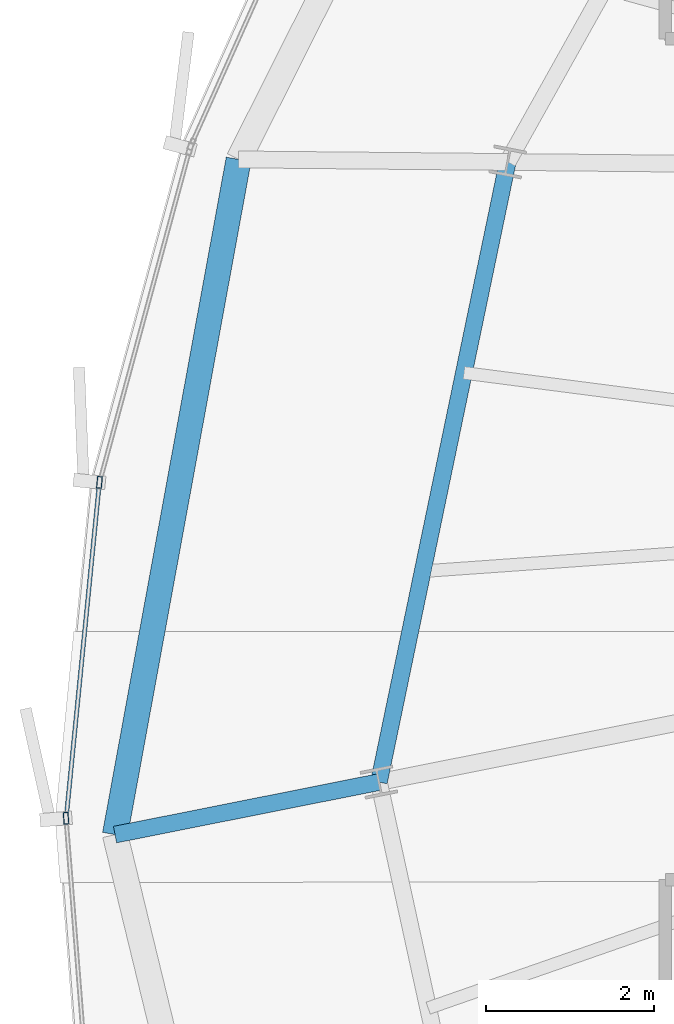
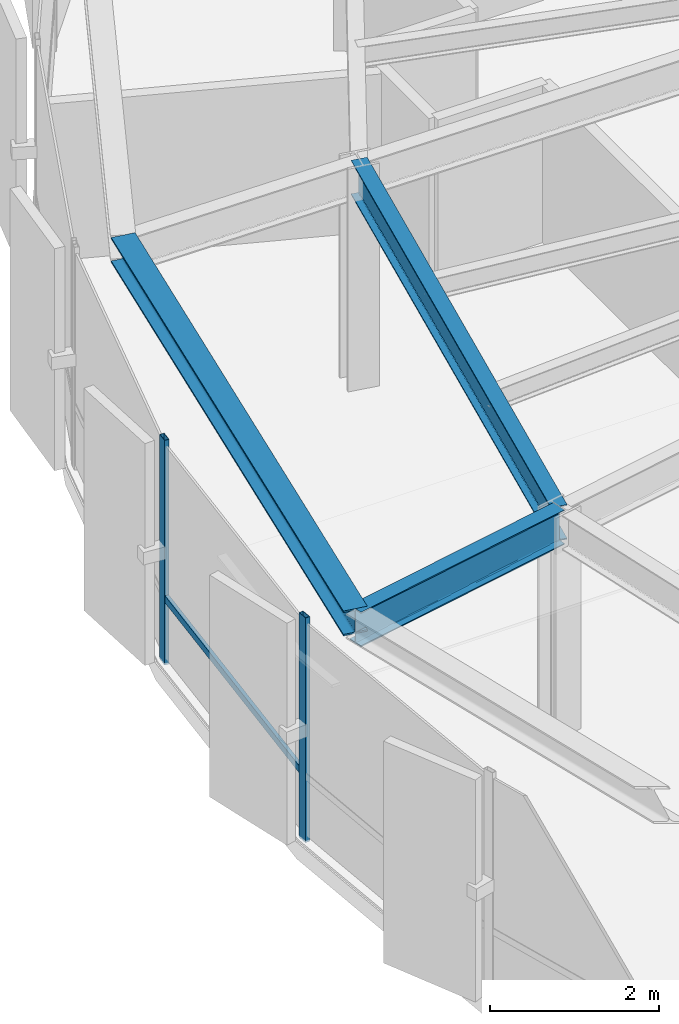
# One storey, part 8 of 34: 3 beams, 3 members, 1 element without a shape of its own.
"""IFC4 building model written with IfcOpenShell, lengths in metres."""

from ifc_helpers import new_model, si_unit, direction, frame, origin, origin_2d, place, context, subcontext, project, spatial, hollow_rectangle, i_section, extrude, source, transform, mapped, material, layer, layer_set, material_profile, profile_set, type_object, element, aggregate, save


model = new_model("IFC4")

# Units and contexts
model_context = context("Model", 3, precision=1e-05, world=origin(), true_north=direction((0.0, 1.0)))
body_context = subcontext(model_context, "Body", "Model", "MODEL_VIEW")
ifc_project = project(units=[si_unit("LENGTHUNIT", "METRE"), si_unit("AREAUNIT", "SQUARE_METRE"), si_unit("VOLUMEUNIT", "CUBIC_METRE"), si_unit("PLANEANGLEUNIT", "RADIAN"), si_unit("MASSUNIT", "GRAM", prefix="KILO"), si_unit("THERMODYNAMICTEMPERATUREUNIT", "KELVIN")], contexts=[model_context])

# Site, building, storey
site_placement = place(None, origin())
site = spatial("IfcSite", under=ifc_project, at=site_placement, CompositionType="ELEMENT")
building_placement = place(site_placement, origin())
building = spatial("IfcBuilding", under=site, at=building_placement, Name="Kethvar Cultural Tower", CompositionType="ELEMENT")
storey_placement = place(building_placement, frame((0.0, 0.0, 214.89990234375)))
storey = spatial("IfcBuildingStorey", under=building, at=storey_placement, Name="L56", CompositionType="ELEMENT", Elevation=214.89990234375)

# Beams
ifc_material_1 = material(Name="Steel S355J2", Category="steel")
ifc_material_profile_1 = material_profile(ifc_material_1, i_section(OverallWidth=0.199951171875, OverallDepth=0.5, WebThickness=0.01025390625, FlangeThickness=0.01611328125, FilletRadius=0.02099609375, at=origin_2d()), Name="Steel S355J2 — IPE500")
ifc_profile_set_1 = profile_set([ifc_material_profile_1], Name="Steel S355J2 — IPE500")
beam_type_1 = type_object("IfcBeamType", Name="BM-IPE500", PredefinedType="BEAM", material=ifc_profile_set_1)
shared_shape_1 = source(origin(), body_context, "Body", "SweptSolid", [
    extrude(i_section(OverallWidth=0.199951171875, OverallDepth=0.5, WebThickness=0.01025390625, FlangeThickness=0.01611328125, FilletRadius=0.02099609375, at=origin_2d()), origin(), (0.0, 0.0, 1.0), 3.199951171875),
])
beam_1_placement = place(storey_placement, frame((27.492919921875, 23.959716796875, 2.988037109375), z_axis=(-0.980770949178, -0.195162356126, 0.0), x_axis=(0.195162356126, -0.980770949178, 0.0)))
element("IfcBeam", 1, at=beam_1_placement, inside=storey, type_object=beam_type_1, Name="L56 Perimeter Cantilever Beam RC-09", PredefinedType="BEAM", context=body_context, shape_type="MappedRepresentation", body=[
    mapped(shared_shape_1, transform((0.0, 0.0, 0.0), scale=1.0)),
])
shared_shape_2 = source(origin(), body_context, "Body", "SweptSolid", [
    extrude(i_section(OverallWidth=0.199951171875, OverallDepth=0.5, WebThickness=0.01025390625, FlangeThickness=0.01611328125, FilletRadius=0.02099609375, at=origin_2d()), origin(), (0.0, 0.0, 1.0), 7.533447265625),
])
beam_2_placement = place(storey_placement, frame((29.02490234375, 31.335693359375, 2.988037109375), z_axis=(-0.203358905185, -0.979104261906, 0.0), x_axis=(0.979104261906, -0.203358905185, 0.0)))
element("IfcBeam", 2, at=beam_2_placement, inside=storey, type_object=beam_type_1, Name="L56 Column Ring Tie Beam CR-08", PredefinedType="BEAM", context=body_context, shape_type="MappedRepresentation", body=[
    mapped(shared_shape_2, transform((0.0, 0.0, 0.0), scale=1.0)),
])
ifc_material_profile_2 = material_profile(ifc_material_1, i_section(OverallWidth=0.300048828125, OverallDepth=0.360107421875, WebThickness=0.012451171875, FlangeThickness=0.0224609375, FilletRadius=0.027099609375, at=origin_2d()), Name="Steel S355J2 — HEB360")
ifc_profile_set_2 = profile_set([ifc_material_profile_2], Name="Steel S355J2 — HEB360")
beam_type_2 = type_object("IfcBeamType", Name="BM-SP360", PredefinedType="SPANDREL", material=ifc_profile_set_2)
shared_shape_3 = source(origin(), body_context, "Body", "SweptSolid", [
    extrude(i_section(OverallWidth=0.300048828125, OverallDepth=0.360107421875, WebThickness=0.012451171875, FlangeThickness=0.0224609375, FilletRadius=0.027099609375, at=origin_2d()), origin(), (0.0, 0.0, 1.0), 8.16455078125),
])
beam_3_placement = place(storey_placement, frame((25.824951171875, 31.3662109375, 3.05810546875), z_axis=(-0.180103654572, -0.983647636916, 0.0), x_axis=(0.983647636916, -0.180103654572, 0.0)))
element("IfcBeam", 3, at=beam_3_placement, inside=storey, type_object=beam_type_2, Name="L56 Perimeter Spandrel Beam SP-08", PredefinedType="SPANDREL", context=body_context, shape_type="MappedRepresentation", body=[
    mapped(shared_shape_3, transform((0.0, 0.0, 0.0), scale=1.0)),
])

# Curtain wall, members
ifc_material_2 = material(Name="Aluminium 6063-T6", Category="aluminium")
ifc_layer = layer(ifc_material_2, 0.179931640625, Name="Aluminium 6063-T6", Category="aluminium")
ifc_layer_set = layer_set([ifc_layer], Name="Aluminium 6063-T6 (180 mm)")
curtain_wall_type = type_object("IfcCurtainWallType", Name="CW-SYS-04-Z34", PredefinedType="NOTDEFINED", material=ifc_layer_set)
curtain_wall_placement = place(storey_placement, origin())
curtain_wall = element("IfcCurtainWall", 4, at=curtain_wall_placement, inside=storey, type_object=curtain_wall_type, Name="L56 Curtain Wall Run 03", PredefinedType="NOTDEFINED")
ifc_material_profile_3 = material_profile(ifc_material_2, hollow_rectangle(XDim=0.06005859375, YDim=0.139892578125, WallThickness=0.0048828125, at=origin_2d()), Name="Aluminium 6063-T6 — RHS140x60x5")
ifc_profile_set_3 = profile_set([ifc_material_profile_3], Name="Aluminium 6063-T6 — RHS140x60x5")
member_type_1 = type_object("IfcMemberType", Name="CW-SYS-04-Z34-MUL", PredefinedType="MULLION", material=ifc_profile_set_3)
shared_shape_4 = source(origin(), body_context, "Body", "SweptSolid", [
    extrude(hollow_rectangle(XDim=0.06005859375, YDim=0.139892578125, WallThickness=0.0048828125, at=origin_2d()), origin(), (0.0, 0.0, 1.0), 3.239990234375),
])
member_1_placement = place(storey_placement, frame((24.169189453125, 27.5244140625, 0.0), z_axis=(0.0, 0.0, 1.0), x_axis=(0.995131548634, -0.098555572711, 0.0)))
member_1 = element("IfcMember", 5, at=member_1_placement, type_object=member_type_1, Name="CW-L56-R03 Mullion 2", PredefinedType="MULLION", context=body_context, shape_type="MappedRepresentation", body=[
    mapped(shared_shape_4, transform((0.0, 0.0, 0.0), scale=1.0)),
])
member_2_placement = place(storey_placement, frame((23.77197265625, 23.52978515625, 0.0), z_axis=(0.0, 0.0, 1.0), x_axis=(0.996920071865, 0.0784242967, 0.0)))
member_2 = element("IfcMember", 6, at=member_2_placement, type_object=member_type_1, Name="CW-L56-R03 Mullion 3", PredefinedType="MULLION", context=body_context, shape_type="MappedRepresentation", body=[
    mapped(shared_shape_4, transform((0.0, 0.0, 0.0), scale=1.0)),
])
ifc_material_profile_4 = material_profile(ifc_material_2, hollow_rectangle(XDim=0.050048828125, YDim=0.10009765625, WallThickness=0.00390625, at=origin_2d()), Name="Aluminium 6063-T6 — RHS100x50x4")
ifc_profile_set_4 = profile_set([ifc_material_profile_4], Name="Aluminium 6063-T6 — RHS100x50x4")
member_type_2 = type_object("IfcMemberType", Name="CW-SYS-04-Z34-TRN", PredefinedType="USERDEFINED", material=ifc_profile_set_4)
shared_shape_5 = source(origin(), body_context, "Body", "SweptSolid", [
    extrude(hollow_rectangle(XDim=0.050048828125, YDim=0.10009765625, WallThickness=0.00390625, at=origin_2d()), origin(), (0.0, 0.0, 1.0), 3.947021484375),
])
member_3_placement = place(storey_placement, frame((24.164794921875, 27.481201171875, 0.9501953125), z_axis=(-0.098536029337, -0.995133483972, 0.0), x_axis=(0.995133483972, -0.098536029337, 0.0)))
member_3 = element("IfcMember", 7, at=member_3_placement, type_object=member_type_2, Name="CW-L56-R03 Transom 2", ObjectType="TRANSOM", PredefinedType="USERDEFINED", context=body_context, shape_type="MappedRepresentation", body=[
    mapped(shared_shape_5, transform((0.0, 0.0, 0.0), scale=1.0)),
])
aggregate(curtain_wall, [member_1, member_2, member_3])

save(model, "model.ifc")
